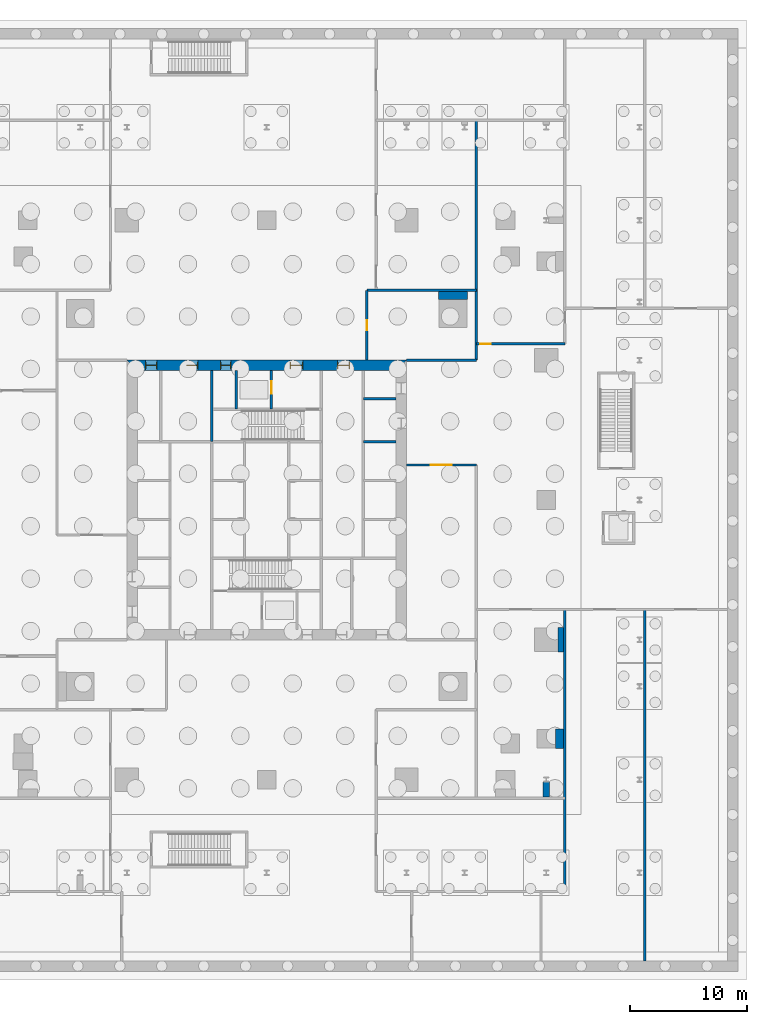
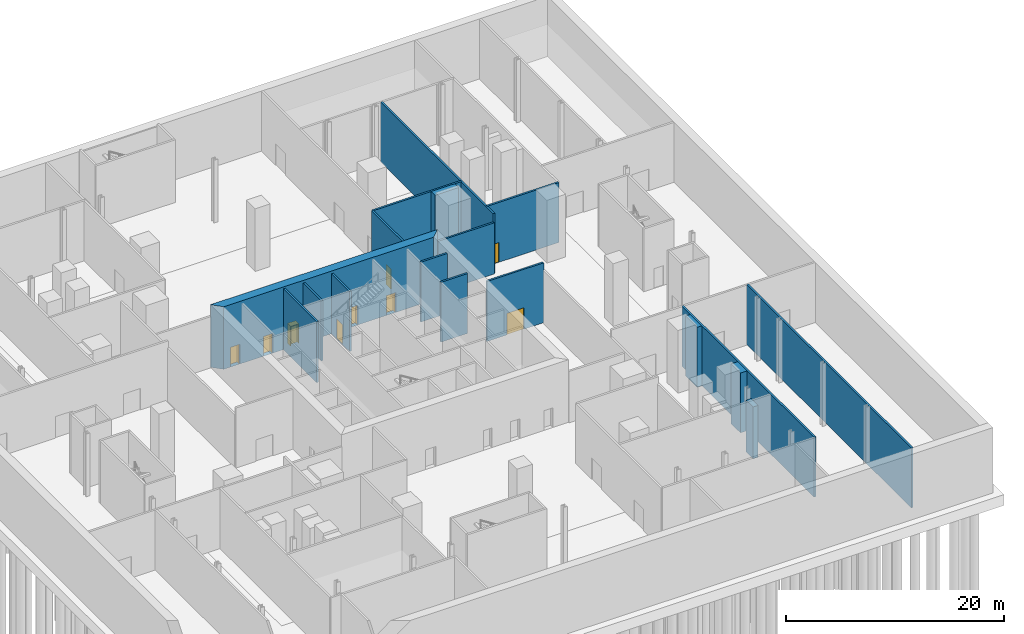
# One storey, part 9 of 15: 18 walls, 9 doors, 9 openings.
"""IFC4 building model written with IfcOpenShell, lengths in metres."""

from ifc_helpers import new_model, si_unit, direction, frame, frame_2d, origin, place, context, subcontext, project, spatial, polyline, rectangle, outline, extrude, material, layer, layer_set, type_object, element, fill, save


model = new_model("IFC4")

# Units and contexts
model_context = context("Model", 3, precision=1e-05, world=origin(), true_north=direction((0.0, 1.0)))
body_context = subcontext(model_context, "Body", "Model", "MODEL_VIEW")
ifc_project = project(units=[si_unit("LENGTHUNIT", "METRE"), si_unit("AREAUNIT", "SQUARE_METRE"), si_unit("VOLUMEUNIT", "CUBIC_METRE"), si_unit("PLANEANGLEUNIT", "RADIAN"), si_unit("MASSUNIT", "GRAM", prefix="KILO")], contexts=[model_context])

# Site, building, storey
site_placement = place(None, origin())
site = spatial("IfcSite", under=ifc_project, at=site_placement, CompositionType="ELEMENT")
building_placement = place(site_placement, origin())
building = spatial("IfcBuilding", under=site, at=building_placement, Name="Fenwick Lantern Interchange", CompositionType="ELEMENT")
storey_placement = place(building_placement, frame((0.0, 0.0, -7.0)))
storey = spatial("IfcBuildingStorey", under=building, at=storey_placement, Name="B-1", CompositionType="ELEMENT", Elevation=-7.0)

# Walls
ifc_material_1 = material(Name="Fire-rated gypsum board encasement on steel studs, 2 hour", Category="steel")
ifc_layer_1 = layer(ifc_material_1, 1.699951171875)
ifc_layer_set_1 = layer_set([ifc_layer_1], Name="COLUMN PIER 1700")
wall_type_1 = type_object("IfcWallType", Name="COLUMN PIER 1700", PredefinedType="PARTITIONING", material=ifc_layer_set_1)
wall_1_placement = place(storey_placement, frame((50.5, 4.5, 0.0), z_axis=(0.0, 0.0, 1.0), x_axis=(-1.0, 0.0, 0.0)))
element("IfcWall", 1, at=wall_1_placement, inside=storey, type_object=wall_type_1, Name="B-1/W/PIER/CE1", PredefinedType="PARTITIONING", context=body_context, shape_type="SweptSolid", body=[
    extrude(rectangle(XDim=0.699951171875, YDim=1.699951171875, at=frame_2d((0.35009765625, 0.0))), origin(), (0.0, 0.0, 1.0), 6.699951171875),
])
ifc_layer_2 = layer(ifc_material_1, 2.10009765625)
ifc_layer_set_2 = layer_set([ifc_layer_2], Name="COLUMN PIER 2100")
wall_type_2 = type_object("IfcWallType", Name="COLUMN PIER 2100", PredefinedType="PARTITIONING", material=ifc_layer_set_2)
wall_2_placement = place(storey_placement, frame((50.5, 13.0, 0.0), z_axis=(0.0, 0.0, 1.0), x_axis=(-1.0, 0.0, 0.0)))
element("IfcWall", 2, at=wall_2_placement, inside=storey, type_object=wall_type_2, Name="B-1/W/PIER/CE2", PredefinedType="PARTITIONING", context=body_context, shape_type="SweptSolid", body=[
    extrude(rectangle(XDim=0.5, YDim=2.10009765625, at=frame_2d((0.25, 0.0))), origin(), (0.0, 0.0, 1.0), 6.699951171875),
])
ifc_layer_3 = layer(ifc_material_1, 2.5)
ifc_layer_set_3 = layer_set([ifc_layer_3], Name="COLUMN PIER 2500")
wall_type_3 = type_object("IfcWallType", Name="COLUMN PIER 2500", PredefinedType="PARTITIONING", material=ifc_layer_set_3)
wall_3_placement = place(storey_placement, frame((41.0, 42.89990234375, 0.0), z_axis=(0.0, 0.0, 1.0), x_axis=(0.0, -1.0, 0.0)))
element("IfcWall", 3, at=wall_3_placement, inside=storey, type_object=wall_type_3, Name="B-1/W/PIER/M3", PredefinedType="PARTITIONING", context=body_context, shape_type="SweptSolid", body=[
    extrude(rectangle(XDim=0.699951171875, YDim=2.5, at=frame_2d((0.35009765625, 0.0))), origin(), (0.0, 0.0, 1.0), 6.699951171875),
])
ifc_layer_4 = layer(ifc_material_1, 0.51708984375)
ifc_layer_set_4 = layer_set([ifc_layer_4], Name="COLUMN PIER 517")
wall_type_4 = type_object("IfcWallType", Name="COLUMN PIER 517", PredefinedType="PARTITIONING", material=ifc_layer_set_4)
wall_4_placement = place(storey_placement, frame((49.0, -0.5, 0.0), z_axis=(0.0, 0.0, 1.0), x_axis=(0.0, 1.0, 0.0)))
element("IfcWall", 4, at=wall_4_placement, inside=storey, type_object=wall_type_4, Name="B-1/W/PIER/PC9", PredefinedType="PARTITIONING", context=body_context, shape_type="SweptSolid", body=[
    extrude(rectangle(XDim=1.27783203125, YDim=0.51708984375, at=frame_2d((0.638916015625, 0.0))), origin(), (0.0, 0.0, 1.0), 5.7880859375),
])
ifc_material_2 = material(Name="Concrete masonry ASTM C90 Grade N", Category="masonry")
ifc_layer_5 = layer(ifc_material_2, 0.199951171875)
ifc_layer_set_5 = layer_set([ifc_layer_5], Name="Concrete masonry ASTM C90 Grade N")
wall_type_5 = type_object("IfcWallType", Name="CORE PARTITION 200", PredefinedType="PARTITIONING", material=ifc_layer_set_5)
wall_5_placement = place(storey_placement, frame((36.10009765625, 30.0, 0.0), z_axis=(0.0, 0.0, 1.0), x_axis=(-1.0, 0.0, 0.0)))
element("IfcWall", 5, at=wall_5_placement, inside=storey, type_object=wall_type_5, Name="B-1/W/COREN/c2", PredefinedType="PARTITIONING", context=body_context, shape_type="SweptSolid", body=[
    extrude(rectangle(XDim=2.800048828125, YDim=0.199951171875, at=frame_2d((1.39990234375, 0.0))), origin(), (0.0, 0.0, 1.0), 6.699951171875),
])

# Wall, opening, door
wall_6_placement = place(storey_placement, frame((25.39990234375, 36.10009765625, 0.0), z_axis=(0.0, 0.0, 1.0), x_axis=(0.0, -1.0, 0.0)))
wall_6 = element("IfcWall", 6, at=wall_6_placement, inside=storey, type_object=wall_type_5, Name="B-1/W/COREN/h1", PredefinedType="PARTITIONING", context=body_context, shape_type="SweptSolid", body=[
    extrude(rectangle(XDim=3.300048828125, YDim=0.199951171875, at=frame_2d((1.64990234375, 0.0))), origin(), (0.0, 0.0, 1.0), 6.699951171875),
])
opening_1_placement = place(wall_6_placement, frame((0.89990234375, 0.0, 0.0)))
opening_1 = element("IfcOpeningElement", 7, at=opening_1_placement, cuts=wall_6, Name="Opening LD-FL2", PredefinedType="OPENING", context=body_context, shape_type="SweptSolid", body=[
    extrude(rectangle(XDim=1.10009765625, YDim=2.199951171875, at=frame_2d((0.550048828125, 1.10009765625))), frame((0.0, 0.10986328125, 0.0), z_axis=(0.0, -1.0, 0.0), x_axis=(1.0, 0.0, 0.0)), (0.0, 0.0, 1.0), 0.219970703125),
])
ifc_material_3 = material(Name="Steel door and frame", Category="steel")
door_type_1 = type_object("IfcDoorType", Name="LIFT LANDING DOOR 1100 X 2200", OperationType="DOUBLE_DOOR_SLIDING", PredefinedType="DOOR", material=ifc_material_3)
door_1_placement = place(opening_1_placement, origin())
door_1 = element("IfcDoor", 8, at=door_1_placement, inside=storey, type_object=door_type_1, Name="Lift landing door FL2", OperationType="DOUBLE_DOOR_SLIDING", OverallHeight=2.199951171875, OverallWidth=1.10009765625, PredefinedType="DOOR", context=body_context, shape_type="SweptSolid", body=[
    extrude(rectangle(XDim=1.10009765625, YDim=2.199951171875, at=frame_2d((0.550048828125, 1.10009765625))), frame((0.0, 0.02490234375, 0.0), z_axis=(0.0, -1.0, 0.0), x_axis=(1.0, 0.0, 0.0)), (0.0, 0.0, 1.0), 0.050048828125),
])
fill(opening_1, door_1)

# Walls
wall_7_placement = place(storey_placement, frame((22.39990234375, 36.10009765625, 0.0), z_axis=(0.0, 0.0, 1.0), x_axis=(0.0, -1.0, 0.0)))
element("IfcWall", 9, at=wall_7_placement, inside=storey, type_object=wall_type_5, Name="B-1/W/COREN/h2", PredefinedType="PARTITIONING", context=body_context, shape_type="SweptSolid", body=[
    extrude(rectangle(XDim=3.300048828125, YDim=0.199951171875, at=frame_2d((1.64990234375, 0.0))), origin(), (0.0, 0.0, 1.0), 6.699951171875),
])
wall_8_placement = place(storey_placement, frame((36.10009765625, 33.699951171875, 0.0), z_axis=(0.0, 0.0, 1.0), x_axis=(-1.0, 0.0, 0.0)))
element("IfcWall", 10, at=wall_8_placement, inside=storey, type_object=wall_type_5, Name="B-1/W/COREN/p1", PredefinedType="PARTITIONING", context=body_context, shape_type="SweptSolid", body=[
    extrude(rectangle(XDim=2.800048828125, YDim=0.199951171875, at=frame_2d((1.39990234375, 0.0))), origin(), (0.0, 0.0, 1.0), 6.699951171875),
])

# Wall, openings, doors
ifc_material_4 = material(Name="Concrete f'c 70 MPa", Category="concrete")
ifc_layer_6 = layer(ifc_material_4, 0.89990234375)
ifc_layer_set_6 = layer_set([ifc_layer_6], Name="CORE WALL 900")
wall_type_6 = type_object("IfcWallType", Name="CORE WALL 900", PredefinedType="SHEAR", material=ifc_layer_set_6)
wall_9_placement = place(storey_placement, frame((37.0, 36.550048828125, 0.0), z_axis=(0.0, 0.0, 1.0), x_axis=(-1.0, 0.0, 0.0)))
wall_9 = element("IfcWall", 11, at=wall_9_placement, inside=storey, type_object=wall_type_6, Name="B-1/CORE/N", PredefinedType="SHEAR", context=body_context, shape_type="SweptSolid", body=[
    extrude(outline(polyline([(0.0, -0.449951171875), (24.0, -0.449951171875), (23.10009765625, 0.449951171875), (0.89990234375, 0.449951171875), (0.0, -0.449951171875)])), origin(), (0.0, 0.0, 1.0), 7.0),
])
opening_2_placement = place(wall_9_placement, frame((4.89990234375, 0.0, 0.0)))
opening_2 = element("IfcOpeningElement", 12, at=opening_2_placement, cuts=wall_9, Name="Opening B-1-D009", PredefinedType="OPENING", context=body_context, shape_type="SweptSolid", body=[
    extrude(rectangle(XDim=1.0, YDim=2.199951171875, at=frame_2d((0.5, 1.10009765625))), frame((0.0, 0.4599609375, 0.0), z_axis=(0.0, -1.0, 0.0), x_axis=(1.0, 0.0, 0.0)), (0.0, 0.0, 1.0), 0.919921875),
])
opening_3_placement = place(wall_9_placement, frame((8.89990234375, 0.0, 0.0)))
opening_3 = element("IfcOpeningElement", 13, at=opening_3_placement, cuts=wall_9, Name="Opening B-1-D010", PredefinedType="OPENING", context=body_context, shape_type="SweptSolid", body=[
    extrude(rectangle(XDim=1.10009765625, YDim=2.199951171875, at=frame_2d((0.550048828125, 1.10009765625))), frame((0.0, 0.4599609375, 0.0), z_axis=(0.0, -1.0, 0.0), x_axis=(1.0, 0.0, 0.0)), (0.0, 0.0, 1.0), 0.919921875),
])
opening_4_placement = place(wall_9_placement, frame((15.050048828125, 0.0, 0.0)))
opening_4 = element("IfcOpeningElement", 14, at=opening_4_placement, cuts=wall_9, Name="Opening B-1-D012", PredefinedType="OPENING", context=body_context, shape_type="SweptSolid", body=[
    extrude(rectangle(XDim=0.89990234375, YDim=2.199951171875, at=frame_2d((0.449951171875, 1.10009765625))), frame((0.0, 0.4599609375, 0.0), z_axis=(0.0, -1.0, 0.0), x_axis=(1.0, 0.0, 0.0)), (0.0, 0.0, 1.0), 0.919921875),
])
opening_5_placement = place(wall_9_placement, frame((17.89990234375, 0.0, 0.0)))
opening_5 = element("IfcOpeningElement", 15, at=opening_5_placement, cuts=wall_9, Name="Opening B-1-D013", PredefinedType="OPENING", context=body_context, shape_type="SweptSolid", body=[
    extrude(rectangle(XDim=1.0, YDim=2.199951171875, at=frame_2d((0.5, 1.10009765625))), frame((0.0, 0.4599609375, 0.0), z_axis=(0.0, -1.0, 0.0), x_axis=(1.0, 0.0, 0.0)), (0.0, 0.0, 1.0), 0.919921875),
])
opening_6_placement = place(wall_9_placement, frame((21.39990234375, 0.0, 0.0)))
opening_6 = element("IfcOpeningElement", 16, at=opening_6_placement, cuts=wall_9, Name="Opening B-1-D014", PredefinedType="OPENING", context=body_context, shape_type="SweptSolid", body=[
    extrude(rectangle(XDim=1.0, YDim=2.199951171875, at=frame_2d((0.5, 1.10009765625))), frame((0.0, 0.4599609375, 0.0), z_axis=(0.0, -1.0, 0.0), x_axis=(1.0, 0.0, 0.0)), (0.0, 0.0, 1.0), 0.919921875),
])
door_type_2 = type_object("IfcDoorType", Name="CORE LOBBY DOOR 1000 X 2200", OperationType="SINGLE_SWING_LEFT", PredefinedType="DOOR", material=ifc_material_3)
door_2_placement = place(opening_2_placement, origin())
door_2 = element("IfcDoor", 17, at=door_2_placement, inside=storey, type_object=door_type_2, Name="Core lobby door", OperationType="SINGLE_SWING_LEFT", OverallHeight=2.199951171875, OverallWidth=1.0, PredefinedType="DOOR", context=body_context, shape_type="SweptSolid", body=[
    extrude(rectangle(XDim=1.0, YDim=2.199951171875, at=frame_2d((0.5, 1.10009765625))), frame((0.0, 0.02490234375, 0.0), z_axis=(0.0, -1.0, 0.0), x_axis=(1.0, 0.0, 0.0)), (0.0, 0.0, 1.0), 0.050048828125),
    extrude(outline(polyline([(0.0, 0.0), (0.0400390625, 0.0), (0.0400390625, 2.159912109375), (0.9599609375, 2.159912109375), (0.9599609375, 0.0), (1.0, 0.0), (1.0, 2.199951171875), (0.0, 2.199951171875), (0.0, 0.0)])), frame((0.0, 0.300048828125, 0.0), z_axis=(0.0, -1.0, 0.0), x_axis=(1.0, 0.0, 0.0)), (0.0, 0.0, 1.0), 0.60009765625),
])
fill(opening_2, door_2)
door_type_3 = type_object("IfcDoorType", Name="FIRE LOBBY DOOR 1100 X 2200", OperationType="SINGLE_SWING_LEFT", PredefinedType="DOOR", material=ifc_material_3)
door_3_placement = place(opening_3_placement, origin())
door_3 = element("IfcDoor", 18, at=door_3_placement, inside=storey, type_object=door_type_3, Name="Fire lobby door", OperationType="SINGLE_SWING_LEFT", OverallHeight=2.199951171875, OverallWidth=1.10009765625, PredefinedType="DOOR", context=body_context, shape_type="SweptSolid", body=[
    extrude(rectangle(XDim=1.10009765625, YDim=2.199951171875, at=frame_2d((0.550048828125, 1.10009765625))), frame((0.0, 0.02490234375, 0.0), z_axis=(0.0, -1.0, 0.0), x_axis=(1.0, 0.0, 0.0)), (0.0, 0.0, 1.0), 0.050048828125),
    extrude(outline(polyline([(0.0, 0.0), (0.0400390625, 0.0), (0.0400390625, 2.159912109375), (1.06005859375, 2.159912109375), (1.06005859375, 0.0), (1.10009765625, 0.0), (1.10009765625, 2.199951171875), (0.0, 2.199951171875), (0.0, 0.0)])), frame((0.0, 0.300048828125, 0.0), z_axis=(0.0, -1.0, 0.0), x_axis=(1.0, 0.0, 0.0)), (0.0, 0.0, 1.0), 0.60009765625),
])
fill(opening_3, door_3)
door_type_4 = type_object("IfcDoorType", Name="SERVICE DOOR 900 X 2200", OperationType="SINGLE_SWING_LEFT", PredefinedType="DOOR", material=ifc_material_3)
door_4_placement = place(opening_4_placement, origin())
door_4 = element("IfcDoor", 19, at=door_4_placement, inside=storey, type_object=door_type_4, Name="Service door", OperationType="SINGLE_SWING_LEFT", OverallHeight=2.199951171875, OverallWidth=0.89990234375, PredefinedType="DOOR", context=body_context, shape_type="SweptSolid", body=[
    extrude(rectangle(XDim=0.89990234375, YDim=2.199951171875, at=frame_2d((0.449951171875, 1.10009765625))), frame((0.0, 0.02490234375, 0.0), z_axis=(0.0, -1.0, 0.0), x_axis=(1.0, 0.0, 0.0)), (0.0, 0.0, 1.0), 0.050048828125),
    extrude(outline(polyline([(0.0, 0.0), (0.0400390625, 0.0), (0.0400390625, 2.159912109375), (0.85986328125, 2.159912109375), (0.85986328125, 0.0), (0.89990234375, 0.0), (0.89990234375, 2.199951171875), (0.0, 2.199951171875), (0.0, 0.0)])), frame((0.0, 0.300048828125, 0.0), z_axis=(0.0, -1.0, 0.0), x_axis=(1.0, 0.0, 0.0)), (0.0, 0.0, 1.0), 0.60009765625),
])
fill(opening_4, door_4)
ifc_material_5 = material(Name="Hardwood door and steel frame", Category="steel")
door_type_5 = type_object("IfcDoorType", Name="WC DOOR 1000 X 2200", OperationType="SINGLE_SWING_LEFT", PredefinedType="DOOR", material=ifc_material_5)
door_5_placement = place(opening_5_placement, origin())
door_5 = element("IfcDoor", 20, at=door_5_placement, inside=storey, type_object=door_type_5, Name="Wc door", OperationType="SINGLE_SWING_LEFT", OverallHeight=2.199951171875, OverallWidth=1.0, PredefinedType="DOOR", context=body_context, shape_type="SweptSolid", body=[
    extrude(rectangle(XDim=1.0, YDim=2.199951171875, at=frame_2d((0.5, 1.10009765625))), frame((0.0, 0.02490234375, 0.0), z_axis=(0.0, -1.0, 0.0), x_axis=(1.0, 0.0, 0.0)), (0.0, 0.0, 1.0), 0.050048828125),
    extrude(outline(polyline([(0.0, 0.0), (0.0400390625, 0.0), (0.0400390625, 2.159912109375), (0.9599609375, 2.159912109375), (0.9599609375, 0.0), (1.0, 0.0), (1.0, 2.199951171875), (0.0, 2.199951171875), (0.0, 0.0)])), frame((0.0, 0.300048828125, 0.0), z_axis=(0.0, -1.0, 0.0), x_axis=(1.0, 0.0, 0.0)), (0.0, 0.0, 1.0), 0.60009765625),
])
fill(opening_5, door_5)
door_6_placement = place(opening_6_placement, origin())
door_6 = element("IfcDoor", 21, at=door_6_placement, inside=storey, type_object=door_type_5, Name="Wc door", OperationType="SINGLE_SWING_LEFT", OverallHeight=2.199951171875, OverallWidth=1.0, PredefinedType="DOOR", context=body_context, shape_type="SweptSolid", body=[
    extrude(rectangle(XDim=1.0, YDim=2.199951171875, at=frame_2d((0.5, 1.10009765625))), frame((0.0, 0.02490234375, 0.0), z_axis=(0.0, -1.0, 0.0), x_axis=(1.0, 0.0, 0.0)), (0.0, 0.0, 1.0), 0.050048828125),
    extrude(outline(polyline([(0.0, 0.0), (0.0400390625, 0.0), (0.0400390625, 2.159912109375), (0.9599609375, 2.159912109375), (0.9599609375, 0.0), (1.0, 0.0), (1.0, 2.199951171875), (0.0, 2.199951171875), (0.0, 0.0)])), frame((0.0, 0.300048828125, 0.0), z_axis=(0.0, -1.0, 0.0), x_axis=(1.0, 0.0, 0.0)), (0.0, 0.0, 1.0), 0.60009765625),
])
fill(opening_6, door_6)

# Wall, opening, door
ifc_material_6 = material(Name="Gypsum board on steel studs, 1 hour", Category="steel")
ifc_layer_7 = layer(ifc_material_6, 0.199951171875)
ifc_layer_set_7 = layer_set([ifc_layer_7], Name="ROOM WALL 200")
wall_type_7 = type_object("IfcWallType", Name="ROOM WALL 200", PredefinedType="PARTITIONING", material=ifc_layer_set_7)
wall_10_placement = place(storey_placement, frame((33.60009765625, 37.0, 0.0), z_axis=(0.0, 0.0, 1.0), x_axis=(0.0, 1.0, 0.0)))
wall_10 = element("IfcWall", 22, at=wall_10_placement, inside=storey, type_object=wall_type_7, Name="B-1/W/POD/X33.6-1", PredefinedType="PARTITIONING", context=body_context, shape_type="SweptSolid", body=[
    extrude(rectangle(XDim=6.0, YDim=0.199951171875, at=frame_2d((3.0, 0.0))), origin(), (0.0, 0.0, 1.0), 6.699951171875),
])
opening_7_placement = place(wall_10_placement, frame((2.550048828125, 0.0, 0.0)))
opening_7 = element("IfcOpeningElement", 23, at=opening_7_placement, cuts=wall_10, Name="Opening B-1-D050", PredefinedType="OPENING", context=body_context, shape_type="SweptSolid", body=[
    extrude(rectangle(XDim=0.89990234375, YDim=2.199951171875, at=frame_2d((0.449951171875, 1.10009765625))), frame((0.0, 0.10986328125, 0.0), z_axis=(0.0, -1.0, 0.0), x_axis=(1.0, 0.0, 0.0)), (0.0, 0.0, 1.0), 0.219970703125),
])
door_type_6 = type_object("IfcDoorType", Name="OFFICE DOOR 900 X 2200", OperationType="SINGLE_SWING_LEFT", PredefinedType="DOOR", material=ifc_material_5)
door_7_placement = place(opening_7_placement, frame((0.89990234375, 0.0, 0.0), z_axis=(0.0, 0.0, 1.0), x_axis=(-1.0, 0.0, 0.0)))
door_7 = element("IfcDoor", 24, at=door_7_placement, inside=storey, type_object=door_type_6, Name="Office door", OperationType="SINGLE_SWING_LEFT", OverallHeight=2.199951171875, OverallWidth=0.89990234375, PredefinedType="DOOR", context=body_context, shape_type="SweptSolid", body=[
    extrude(rectangle(XDim=0.89990234375, YDim=2.199951171875, at=frame_2d((0.449951171875, 1.10009765625))), frame((0.0, 0.02490234375, 0.0), z_axis=(0.0, -1.0, 0.0), x_axis=(1.0, 0.0, 0.0)), (0.0, 0.0, 1.0), 0.050048828125),
])
fill(opening_7, door_7)

# Walls
wall_11_placement = place(storey_placement, frame((43.0, 37.0, 0.0), z_axis=(0.0, 0.0, 1.0), x_axis=(0.0, 1.0, 0.0)))
element("IfcWall", 25, at=wall_11_placement, inside=storey, type_object=wall_type_7, Name="B-1/W/POD/X43-2", PredefinedType="PARTITIONING", context=body_context, shape_type="SweptSolid", body=[
    extrude(rectangle(XDim=20.60009765625, YDim=0.199951171875, at=frame_2d((10.300048828125, 0.0))), origin(), (0.0, 0.0, 1.0), 6.699951171875),
])
wall_12_placement = place(storey_placement, frame((50.60009765625, -8.60009765625, 0.0), z_axis=(0.0, 0.0, 1.0), x_axis=(0.0, 1.0, 0.0)))
element("IfcWall", 26, at=wall_12_placement, inside=storey, type_object=wall_type_7, Name="B-1/W/POD/X50.6-1", PredefinedType="PARTITIONING", context=body_context, shape_type="SweptSolid", body=[
    extrude(rectangle(XDim=24.2001953125, YDim=0.199951171875, at=frame_2d((12.10009765625, 0.0))), origin(), (0.0, 0.0, 1.0), 6.699951171875),
])
wall_13_placement = place(storey_placement, frame((57.449951171875, -14.550048828125, 0.0), z_axis=(0.0, 0.0, 1.0), x_axis=(0.0, 1.0, 0.0)))
element("IfcWall", 27, at=wall_13_placement, inside=storey, type_object=wall_type_7, Name="B-1/W/POD/X57.45-1", PredefinedType="PARTITIONING", context=body_context, shape_type="SweptSolid", body=[
    extrude(rectangle(XDim=30.150146484375, YDim=0.199951171875, at=frame_2d((15.0751953125, 0.0))), origin(), (0.0, 0.0, 1.0), 6.699951171875),
])

# Wall, opening, door
wall_14_placement = place(storey_placement, frame((37.0, 28.0, 0.0), z_axis=(0.0, 0.0, 1.0), x_axis=(1.0, 0.0, 0.0)))
wall_14 = element("IfcWall", 28, at=wall_14_placement, inside=storey, type_object=wall_type_7, Name="B-1/W/POD/Y28-1", PredefinedType="PARTITIONING", context=body_context, shape_type="SweptSolid", body=[
    extrude(rectangle(XDim=6.0, YDim=0.199951171875, at=frame_2d((3.0, 0.0))), origin(), (0.0, 0.0, 1.0), 6.699951171875),
])
opening_8_placement = place(wall_14_placement, frame((2.099853515625, 0.0, 0.0)))
opening_8 = element("IfcOpeningElement", 29, at=opening_8_placement, cuts=wall_14, Name="Opening B-1-D048", PredefinedType="OPENING", context=body_context, shape_type="SweptSolid", body=[
    extrude(rectangle(XDim=1.800048828125, YDim=2.39990234375, at=frame_2d((0.89990234375, 1.199951171875))), frame((0.0, 0.10986328125, 0.0), z_axis=(0.0, -1.0, 0.0), x_axis=(1.0, 0.0, 0.0)), (0.0, 0.0, 1.0), 0.219970703125),
])
door_type_7 = type_object("IfcDoorType", Name="ROOM DOOR PAIR 1800 X 2400", OperationType="DOUBLE_DOOR_SINGLE_SWING", PredefinedType="DOOR", material=ifc_material_3)
door_8_placement = place(opening_8_placement, origin())
door_8 = element("IfcDoor", 30, at=door_8_placement, inside=storey, type_object=door_type_7, Name="Room door pair", OperationType="DOUBLE_DOOR_SINGLE_SWING", OverallHeight=2.39990234375, OverallWidth=1.800048828125, PredefinedType="DOOR", context=body_context, shape_type="SweptSolid", body=[
    extrude(rectangle(XDim=1.800048828125, YDim=2.39990234375, at=frame_2d((0.89990234375, 1.199951171875))), frame((0.0, 0.02490234375, 0.0), z_axis=(0.0, -1.0, 0.0), x_axis=(1.0, 0.0, 0.0)), (0.0, 0.0, 1.0), 0.050048828125),
])
fill(opening_8, door_8)

# Wall
wall_15_placement = place(storey_placement, frame((37.0, 37.0, 0.0), z_axis=(0.0, 0.0, 1.0), x_axis=(1.0, 0.0, 0.0)))
element("IfcWall", 31, at=wall_15_placement, inside=storey, type_object=wall_type_7, Name="B-1/W/POD/Y37-2", PredefinedType="PARTITIONING", context=body_context, shape_type="SweptSolid", body=[
    extrude(rectangle(XDim=6.0, YDim=0.199951171875, at=frame_2d((3.0, 0.0))), origin(), (0.0, 0.0, 1.0), 5.724609375),
])

# Wall, opening, door
wall_16_placement = place(storey_placement, frame((43.0, 38.39990234375, 0.0), z_axis=(0.0, 0.0, 1.0), x_axis=(1.0, 0.0, 0.0)))
wall_16 = element("IfcWall", 32, at=wall_16_placement, inside=storey, type_object=wall_type_7, Name="B-1/W/POD/Y38.4-1", PredefinedType="PARTITIONING", context=body_context, shape_type="SweptSolid", body=[
    extrude(rectangle(XDim=7.60009765625, YDim=0.199951171875, at=frame_2d((3.800048828125, 0.0))), origin(), (0.0, 0.0, 1.0), 6.699951171875),
])
opening_9_placement = place(wall_16_placement, frame((0.35009765625, 0.0, 0.0)))
opening_9 = element("IfcOpeningElement", 33, at=opening_9_placement, cuts=wall_16, Name="Opening B-1-D034", PredefinedType="OPENING", context=body_context, shape_type="SweptSolid", body=[
    extrude(rectangle(XDim=0.89990234375, YDim=2.199951171875, at=frame_2d((0.449951171875, 1.10009765625))), frame((0.0, 0.10986328125, 0.0), z_axis=(0.0, -1.0, 0.0), x_axis=(1.0, 0.0, 0.0)), (0.0, 0.0, 1.0), 0.219970703125),
])
door_9_placement = place(opening_9_placement, frame((0.89990234375, 0.0, 0.0), z_axis=(0.0, 0.0, 1.0), x_axis=(-1.0, 0.0, 0.0)))
door_9 = element("IfcDoor", 34, at=door_9_placement, inside=storey, type_object=door_type_6, Name="Office door", OperationType="SINGLE_SWING_RIGHT", OverallHeight=2.199951171875, OverallWidth=0.89990234375, PredefinedType="DOOR", context=body_context, shape_type="SweptSolid", body=[
    extrude(rectangle(XDim=0.89990234375, YDim=2.199951171875, at=frame_2d((0.449951171875, 1.10009765625))), frame((0.0, 0.02490234375, 0.0), z_axis=(0.0, -1.0, 0.0), x_axis=(1.0, 0.0, 0.0)), (0.0, 0.0, 1.0), 0.050048828125),
])
fill(opening_9, door_9)

# Walls
wall_17_placement = place(storey_placement, frame((33.60009765625, 43.0, 0.0), z_axis=(0.0, 0.0, 1.0), x_axis=(1.0, 0.0, 0.0)))
element("IfcWall", 35, at=wall_17_placement, inside=storey, type_object=wall_type_7, Name="B-1/W/POD/Y43-2", PredefinedType="PARTITIONING", context=body_context, shape_type="SweptSolid", body=[
    extrude(rectangle(XDim=9.39990234375, YDim=0.199951171875, at=frame_2d((4.699951171875, 0.0))), origin(), (0.0, 0.0, 1.0), 6.699951171875),
])
ifc_material_7 = material(Name="Concrete f'c 45 MPa", Category="concrete")
ifc_layer_8 = layer(ifc_material_7, 0.199951171875)
ifc_layer_set_8 = layer_set([ifc_layer_8], Name="STAIR CORE WALL 200")
wall_type_8 = type_object("IfcWallType", Name="STAIR CORE WALL 200", PredefinedType="SOLIDWALL", material=ifc_layer_set_8)
wall_18_placement = place(storey_placement, frame((20.300048828125, 36.10009765625, 0.0), z_axis=(0.0, 0.0, 1.0), x_axis=(0.0, -1.0, 0.0)))
element("IfcWall", 36, at=wall_18_placement, inside=storey, type_object=wall_type_8, Name="B-1/W/COREN/i1", PredefinedType="SOLIDWALL", context=body_context, shape_type="SweptSolid", body=[
    extrude(rectangle(XDim=6.10009765625, YDim=0.199951171875, at=frame_2d((3.050048828125, 0.0))), origin(), (0.0, 0.0, 1.0), 6.800048828125),
])

save(model, "model.ifc")
